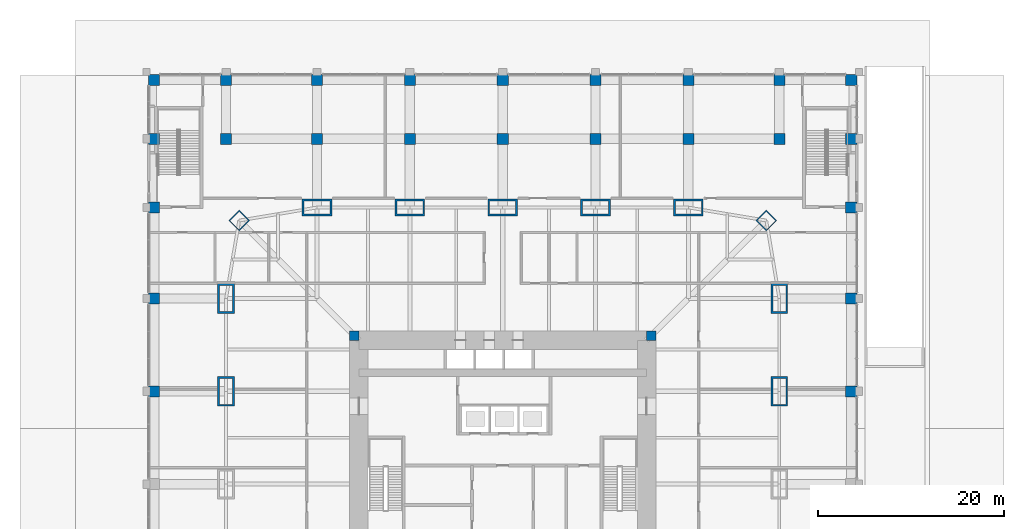
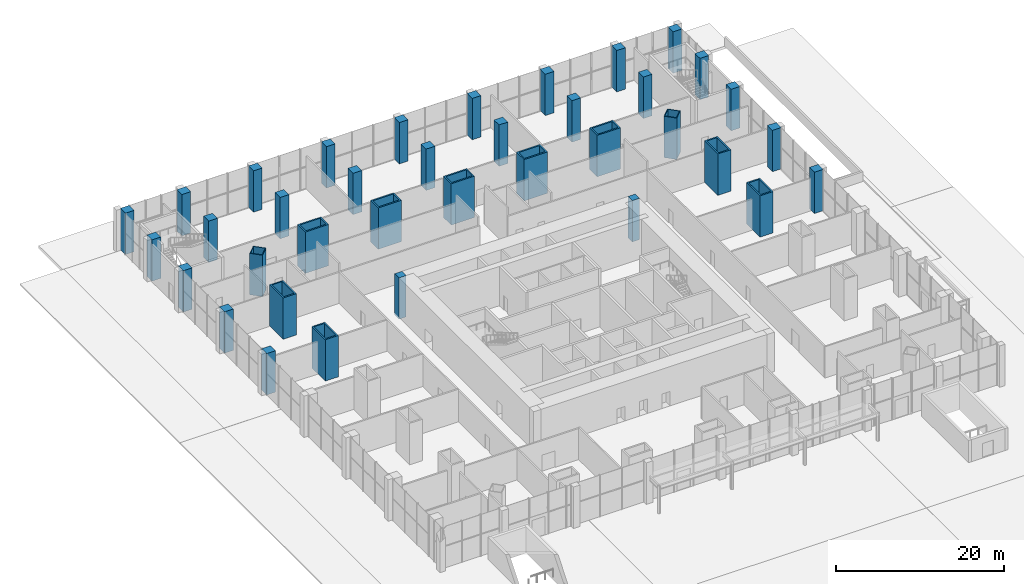
# One storey, part 5 of 31: 37 columns.
"""IFC4 building model written with IfcOpenShell, lengths in metres."""

from ifc_helpers import new_model, si_unit, direction, frame, origin, origin_2d, place, context, subcontext, project, spatial, rectangle, hollow_rectangle, extrude, material, material_profile, profile_set, type_object, element, save


model = new_model("IFC4")

# Units and contexts
model_context = context("Model", 3, precision=1e-05, world=origin(), true_north=direction((0.0, 1.0)))
body_context = subcontext(model_context, "Body", "Model", "MODEL_VIEW")
ifc_project = project(units=[si_unit("LENGTHUNIT", "METRE"), si_unit("AREAUNIT", "SQUARE_METRE"), si_unit("VOLUMEUNIT", "CUBIC_METRE"), si_unit("PLANEANGLEUNIT", "RADIAN"), si_unit("MASSUNIT", "GRAM", prefix="KILO")], contexts=[model_context])

# Site, building, storey
site_placement = place(None, origin())
site = spatial("IfcSite", under=ifc_project, at=site_placement, CompositionType="ELEMENT")
building_placement = place(site_placement, origin())
building = spatial("IfcBuilding", under=site, at=building_placement, Name="Khuree Lantern Residences", CompositionType="ELEMENT")
storey_placement = place(building_placement, origin())
storey = spatial("IfcBuildingStorey", under=building, at=storey_placement, Name="L00", CompositionType="ELEMENT", Elevation=0.0)

# Columns
ifc_material_1 = material(Name="Steel S355 CFT welded box", Category="steel")
ifc_material_profile_1 = material_profile(ifc_material_1, hollow_rectangle(XDim=1.60009765625, YDim=1.60009765625, WallThickness=0.10009765625, at=origin_2d()), Name="WELDED BOX 1600X1600X100")
ifc_profile_set_1 = profile_set([ifc_material_profile_1], Name="Steel S355 CFT welded box")
column_type_1 = type_object("IfcColumnType", Name="CC1600 PERIMETER CORNER MEGA COLUMN WELDED BOX 1600X1600X100", PredefinedType="COLUMN", material=ifc_profile_set_1)
for number, where, z_axis, x_axis, name in (
    (1, (28.39404296875, 28.39404296875, 0.0), (0.0, 0.0, 1.0), (0.707106781187, -0.707106781187, 0.0), "Perimeter column NE"),
    (2, (-28.39404296875, 28.39404296875, 0.0), (0.0, 0.0, 1.0), (0.707106781187, 0.707106781187, 0.0), "Perimeter column NW"),
):
    element("IfcColumn", number, at=place(storey_placement, frame(where, z_axis=z_axis, x_axis=x_axis)), inside=storey, type_object=column_type_1, Name=name, PredefinedType="COLUMN", context=body_context, shape_type="SweptSolid", body=[
        extrude(hollow_rectangle(XDim=1.60009765625, YDim=1.60009765625, WallThickness=0.10009765625, at=origin_2d()), origin(), (0.0, 0.0, 1.0), 6.0),
    ])
ifc_material_2 = material(Name="Concrete C70/85", Category="concrete")
ifc_material_profile_2 = material_profile(ifc_material_2, rectangle(XDim=1.0, YDim=1.0, at=origin_2d()), Name="RC 1000X1000")
ifc_profile_set_2 = profile_set([ifc_material_profile_2], Name="Concrete C70/85")
column_type_2 = type_object("IfcColumnType", Name="CP1000-C70 CORE CORNER PIER C70 RC 1000X1000", PredefinedType="COLUMN", material=ifc_profile_set_2)
for number, where, z_axis, x_axis, name in (
    (3, (16.0, 16.0, -0.300048828125), (0.0, 0.0, 1.0), (1.0, 0.0, 0.0), "Core corner pier NE"),
    (4, (-16.0, 16.0, -0.300048828125), (0.0, 0.0, 1.0), (1.0, 0.0, 0.0), "Core corner pier NW"),
):
    element("IfcColumn", number, at=place(storey_placement, frame(where, z_axis=z_axis, x_axis=x_axis)), inside=storey, type_object=column_type_2, Name=name, PredefinedType="COLUMN", context=body_context, shape_type="SweptSolid", body=[
        extrude(rectangle(XDim=1.0, YDim=1.0, at=origin_2d()), origin(), (0.0, 0.0, 1.0), 6.0),
    ])
ifc_material_profile_3 = material_profile(ifc_material_2, rectangle(XDim=1.199951171875, YDim=1.199951171875, at=origin_2d()), Name="RC 1200X1200")
ifc_profile_set_3 = profile_set([ifc_material_profile_3], Name="Concrete C70/85")
column_type_3 = type_object("IfcColumnType", Name="GC1 PODIUM COLUMN RC 1200X1200", PredefinedType="COLUMN", material=ifc_profile_set_3)
for number, where, z_axis, x_axis, name in (
    (5, (-37.550048828125, 10.0, 0.0), (0.0, 0.0, 1.0), (1.0, 0.0, 0.0), "Column GC-25"),
    (6, (37.550048828125, 10.0, 0.0), (0.0, 0.0, 1.0), (1.0, 0.0, 0.0), "Column GC-26"),
    (7, (-37.550048828125, 20.0, 0.0), (0.0, 0.0, 1.0), (1.0, 0.0, 0.0), "Column GC-27"),
    (8, (37.550048828125, 20.0, 0.0), (0.0, 0.0, 1.0), (1.0, 0.0, 0.0), "Column GC-28"),
    (9, (-37.550048828125, 29.800048828125, 0.0), (0.0, 0.0, 1.0), (1.0, 0.0, 0.0), "Column GC-29"),
    (10, (37.550048828125, 29.800048828125, 0.0), (0.0, 0.0, 1.0), (1.0, 0.0, 0.0), "Column GC-30"),
    (11, (-37.550048828125, 37.199951171875, 0.0), (0.0, 0.0, 1.0), (1.0, 0.0, 0.0), "Column GC-31"),
    (12, (-29.800048828125, 37.199951171875, 0.0), (0.0, 0.0, 1.0), (1.0, 0.0, 0.0), "Column GC-32"),
    (13, (-20.0, 37.199951171875, 0.0), (0.0, 0.0, 1.0), (1.0, 0.0, 0.0), "Column GC-33"),
    (14, (-10.0, 37.199951171875, 0.0), (0.0, 0.0, 1.0), (1.0, 0.0, 0.0), "Column GC-34"),
    (15, (0.0, 37.199951171875, 0.0), (0.0, 0.0, 1.0), (1.0, 0.0, 0.0), "Column GC-35"),
    (16, (10.0, 37.199951171875, 0.0), (0.0, 0.0, 1.0), (1.0, 0.0, 0.0), "Column GC-36"),
    (17, (20.0, 37.199951171875, 0.0), (0.0, 0.0, 1.0), (1.0, 0.0, 0.0), "Column GC-37"),
    (18, (29.800048828125, 37.199951171875, 0.0), (0.0, 0.0, 1.0), (1.0, 0.0, 0.0), "Column GC-38"),
    (19, (37.550048828125, 37.199951171875, 0.0), (0.0, 0.0, 1.0), (1.0, 0.0, 0.0), "Column GC-39"),
    (20, (-37.550048828125, 43.550048828125, 0.0), (0.0, 0.0, 1.0), (1.0, 0.0, 0.0), "Column GC-40"),
    (21, (-29.800048828125, 43.550048828125, 0.0), (0.0, 0.0, 1.0), (1.0, 0.0, 0.0), "Column GC-41"),
    (22, (-20.0, 43.550048828125, 0.0), (0.0, 0.0, 1.0), (1.0, 0.0, 0.0), "Column GC-42"),
    (23, (-10.0, 43.550048828125, 0.0), (0.0, 0.0, 1.0), (1.0, 0.0, 0.0), "Column GC-43"),
    (24, (0.0, 43.550048828125, 0.0), (0.0, 0.0, 1.0), (1.0, 0.0, 0.0), "Column GC-44"),
    (25, (10.0, 43.550048828125, 0.0), (0.0, 0.0, 1.0), (1.0, 0.0, 0.0), "Column GC-45"),
    (26, (20.0, 43.550048828125, 0.0), (0.0, 0.0, 1.0), (1.0, 0.0, 0.0), "Column GC-46"),
    (27, (29.800048828125, 43.550048828125, 0.0), (0.0, 0.0, 1.0), (1.0, 0.0, 0.0), "Column GC-47"),
    (28, (37.550048828125, 43.550048828125, 0.0), (0.0, 0.0, 1.0), (1.0, 0.0, 0.0), "Column GC-48"),
):
    element("IfcColumn", number, at=place(storey_placement, frame(where, z_axis=z_axis, x_axis=x_axis)), inside=storey, type_object=column_type_3, Name=name, PredefinedType="COLUMN", context=body_context, shape_type="SweptSolid", body=[
        extrude(rectangle(XDim=1.199951171875, YDim=1.199951171875, at=origin_2d()), origin(), (0.0, 0.0, 1.0), 6.0),
    ])
ifc_material_profile_4 = material_profile(ifc_material_1, hollow_rectangle(XDim=3.199951171875, YDim=1.800048828125, WallThickness=0.199951171875, at=origin_2d()), Name="WELDED BOX 3200X1800X200")
ifc_profile_set_4 = profile_set([ifc_material_profile_4], Name="Steel S355 CFT welded box")
column_type_4 = type_object("IfcColumnType", Name="SC1 PERIMETER MEGA COLUMN WELDED BOX 3200X1800X200", PredefinedType="COLUMN", material=ifc_profile_set_4)
for number, where, z_axis, x_axis, name in (
    (29, (-20.0, 29.800048828125, 0.0), (0.0, 0.0, 1.0), (1.0, 0.0, 0.0), "Perimeter column N1"),
    (30, (-10.0, 29.800048828125, 0.0), (0.0, 0.0, 1.0), (1.0, 0.0, 0.0), "Perimeter column N2"),
    (31, (0.0, 29.800048828125, 0.0), (0.0, 0.0, 1.0), (1.0, 0.0, 0.0), "Perimeter column N3"),
    (32, (10.0, 29.800048828125, 0.0), (0.0, 0.0, 1.0), (1.0, 0.0, 0.0), "Perimeter column N4"),
    (33, (20.0, 29.800048828125, 0.0), (0.0, 0.0, 1.0), (1.0, 0.0, 0.0), "Perimeter column N5"),
    (34, (29.800048828125, 20.0, 0.0), (0.0, 0.0, 1.0), (0.0, 1.0, 0.0), "Perimeter column E1"),
    (35, (29.800048828125, 10.0, 0.0), (0.0, 0.0, 1.0), (0.0, 1.0, 0.0), "Perimeter column E2"),
    (36, (-29.800048828125, 10.0, 0.0), (0.0, 0.0, 1.0), (0.0, 1.0, 0.0), "Perimeter column W4"),
    (37, (-29.800048828125, 20.0, 0.0), (0.0, 0.0, 1.0), (0.0, 1.0, 0.0), "Perimeter column W5"),
):
    element("IfcColumn", number, at=place(storey_placement, frame(where, z_axis=z_axis, x_axis=x_axis)), inside=storey, type_object=column_type_4, Name=name, PredefinedType="COLUMN", context=body_context, shape_type="SweptSolid", body=[
        extrude(hollow_rectangle(XDim=3.199951171875, YDim=1.800048828125, WallThickness=0.199951171875, at=origin_2d()), origin(), (0.0, 0.0, 1.0), 6.0),
    ])

save(model, "model.ifc")
